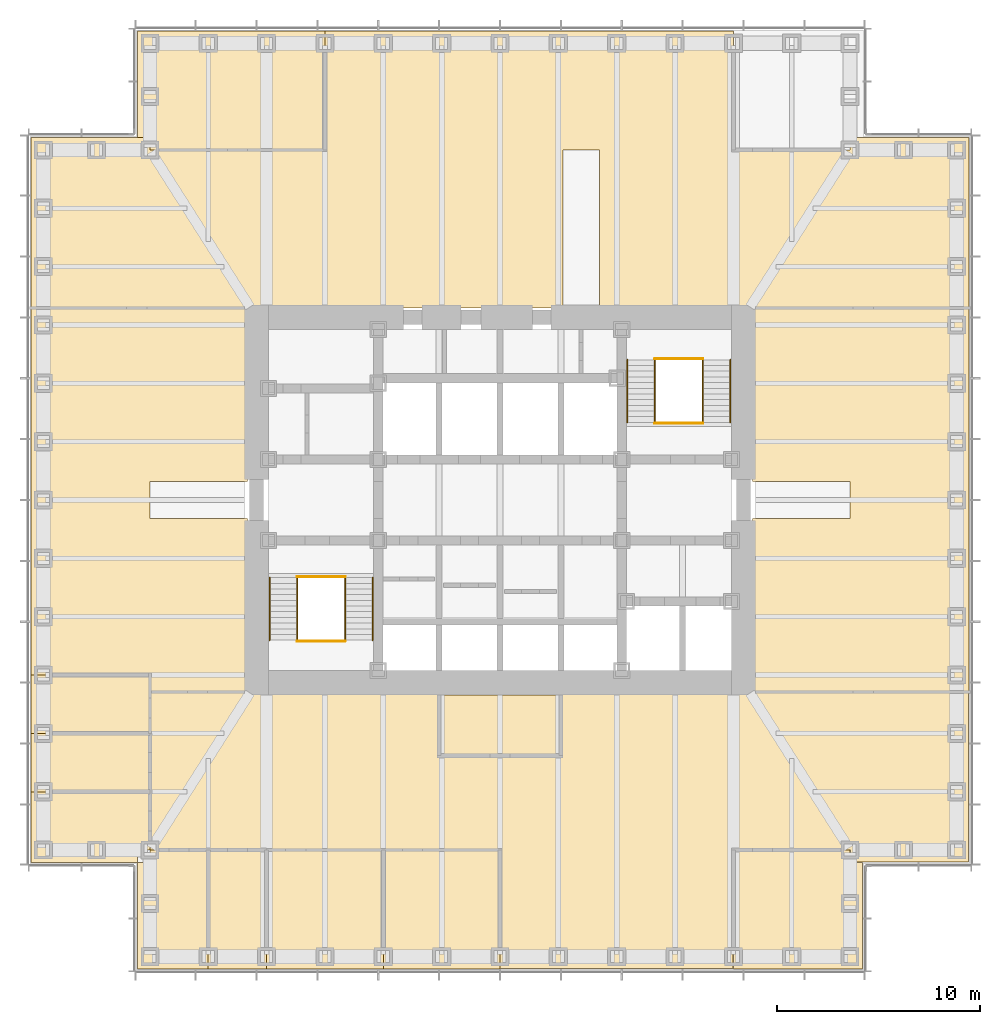
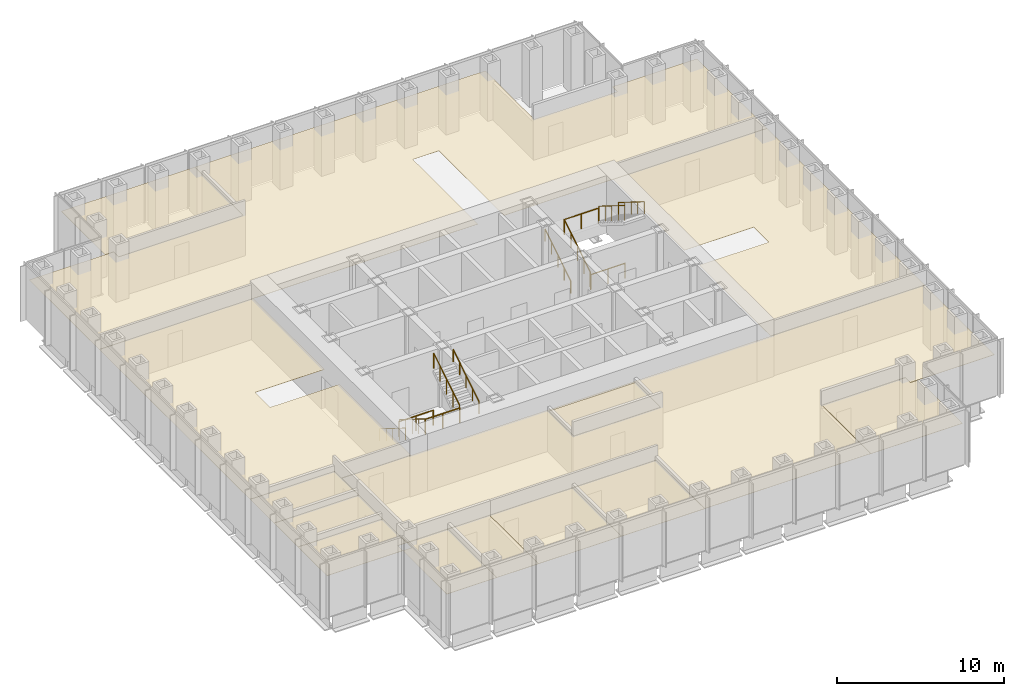
# One storey, part 16 of 16: 14 coverings, 12 railings.
"""IFC4 building model written with IfcOpenShell, lengths in metres."""

from ifc_helpers import new_model, si_unit, direction, frame, origin, origin_2d, place, context, subcontext, project, spatial, polyline, circle, outline, extrude, material, layer, layer_set, type_object, element, save


model = new_model("IFC4")

# Units and contexts
model_context = context("Model", 3, precision=1e-05, world=origin(), true_north=direction((0.0, 1.0)))
body_context = subcontext(model_context, "Body", "Model", "MODEL_VIEW")
ifc_project = project(units=[si_unit("LENGTHUNIT", "METRE"), si_unit("AREAUNIT", "SQUARE_METRE"), si_unit("VOLUMEUNIT", "CUBIC_METRE"), si_unit("PLANEANGLEUNIT", "RADIAN"), si_unit("MASSUNIT", "GRAM", prefix="KILO")], contexts=[model_context])

# Site, building, storey
site_placement = place(None, origin())
site = spatial("IfcSite", under=ifc_project, at=site_placement, CompositionType="ELEMENT")
building_placement = place(site_placement, origin())
building = spatial("IfcBuilding", under=site, at=building_placement, Name="Daluyong Arena Tower", CompositionType="ELEMENT")
storey_placement = place(building_placement, frame((0.0, 0.0, 120.699951171875)))
storey = spatial("IfcBuildingStorey", under=building, at=storey_placement, Name="L26", CompositionType="ELEMENT", Elevation=120.699951171875)

# Coverings
ifc_material_1 = material(Name="Mineral fibre ceiling tile", Category="gypsum board")
ifc_layer = layer(ifc_material_1, 0.02001953125)
ifc_layer_set = layer_set([ifc_layer], Name="Mineral fibre ceiling tile")
covering_type = type_object("IfcCoveringType", Name="Office ceiling", PredefinedType="CEILING", material=ifc_layer_set)
covering_1_placement = place(storey_placement, frame((0.0, 0.0, 2.900146484375)))
element("IfcCovering", 1, at=covering_1_placement, inside=storey, type_object=covering_type, Name="ceiling L26-01", PredefinedType="CEILING", context=body_context, shape_type="SweptSolid", body=[
    extrude(outline(polyline([(38.14990234375, 62.14990234375), (38.14990234375, 56.89990234375), (41.625, 56.89990234375), (41.625, 62.75), (38.75, 62.75), (38.75, 62.14990234375), (38.14990234375, 62.14990234375)])), origin(), (0.0, 0.0, 1.0), 0.02001953125),
])
covering_2_placement = place(storey_placement, frame((0.0, 0.0, 2.900146484375)))
element("IfcCovering", 2, at=covering_2_placement, inside=storey, type_object=covering_type, Name="ceiling L26-02", PredefinedType="CEILING", context=body_context, shape_type="SweptSolid", body=[
    extrude(outline(polyline([(41.625, 62.75), (41.625, 56.89990234375), (44.5, 56.89990234375), (44.5, 62.75), (41.625, 62.75)])), origin(), (0.0, 0.0, 1.0), 0.02001953125),
])
covering_3_placement = place(storey_placement, frame((0.0, 0.0, 2.900146484375)))
element("IfcCovering", 3, at=covering_3_placement, inside=storey, type_object=covering_type, Name="ceiling L26-03", PredefinedType="CEILING", context=body_context, shape_type="SweptSolid", body=[
    extrude(outline(polyline([(44.5, 62.75), (44.5, 56.89990234375), (50.25, 56.89990234375), (50.25, 62.75), (44.5, 62.75)])), origin(), (0.0, 0.0, 1.0), 0.02001953125),
])
covering_4_placement = place(storey_placement, frame((0.0, 0.0, 2.900146484375)))
element("IfcCovering", 4, at=covering_4_placement, inside=storey, type_object=covering_type, Name="ceiling L26-04", PredefinedType="CEILING", context=body_context, shape_type="SweptSolid", body=[
    extrude(outline(polyline([(50.25, 62.75), (50.25, 56.89990234375), (56.0, 56.89990234375), (56.0, 62.75), (50.25, 62.75)])), origin(), (0.0, 0.0, 1.0), 0.02001953125),
])
covering_5_placement = place(storey_placement, frame((0.0, 0.0, 2.900146484375)))
element("IfcCovering", 5, at=covering_5_placement, inside=storey, type_object=covering_type, Name="ceiling L26-05", PredefinedType="CEILING", context=body_context, shape_type="SweptSolid", body=[
    extrude(outline(polyline([(73.85009765625, 56.89990234375), (73.85009765625, 62.14990234375), (73.25, 62.14990234375), (73.25, 62.75), (67.5, 62.75), (67.5, 56.89990234375), (73.85009765625, 56.89990234375)])), origin(), (0.0, 0.0, 1.0), 0.02001953125),
])
covering_6_placement = place(storey_placement, frame((0.0, 0.0, 2.900146484375)))
element("IfcCovering", 6, at=covering_6_placement, inside=storey, type_object=covering_type, Name="ceiling L26-06", PredefinedType="CEILING", context=body_context, shape_type="SweptSolid", body=[
    extrude(outline(polyline([(47.375, 97.25), (47.375, 103.10009765625), (38.14990234375, 103.10009765625), (38.14990234375, 97.85009765625), (38.75, 97.85009765625), (38.75, 97.25), (47.375, 97.25)])), origin(), (0.0, 0.0, 1.0), 0.02001953125),
])
covering_7_placement = place(storey_placement, frame((0.0, 0.0, 2.900146484375)))
element("IfcCovering", 7, at=covering_7_placement, inside=storey, type_object=covering_type, Name="ceiling L26-08", PredefinedType="CEILING", context=body_context, shape_type="SweptSolid", body=[
    extrude(outline(polyline([(32.89990234375, 62.14990234375), (38.14990234375, 62.14990234375), (38.14990234375, 62.75), (38.75, 62.75), (38.75, 65.625), (32.89990234375, 65.625), (32.89990234375, 62.14990234375)])), origin(), (0.0, 0.0, 1.0), 0.02001953125),
])
covering_8_placement = place(storey_placement, frame((0.0, 0.0, 2.900146484375)))
element("IfcCovering", 8, at=covering_8_placement, inside=storey, type_object=covering_type, Name="ceiling L26-09", PredefinedType="CEILING", context=body_context, shape_type="SweptSolid", body=[
    extrude(outline(polyline([(38.75, 68.5), (32.89990234375, 68.5), (32.89990234375, 65.625), (38.75, 65.625), (38.75, 68.5)])), origin(), (0.0, 0.0, 1.0), 0.02001953125),
])
covering_9_placement = place(storey_placement, frame((0.0, 0.0, 2.900146484375)))
element("IfcCovering", 9, at=covering_9_placement, inside=storey, type_object=covering_type, Name="ceiling L26-10", PredefinedType="CEILING", context=body_context, shape_type="SweptSolid", body=[
    extrude(outline(polyline([(38.75, 71.375), (32.89990234375, 71.375), (32.89990234375, 68.5), (38.75, 68.5), (38.75, 71.375)])), origin(), (0.0, 0.0, 1.0), 0.02001953125),
])
covering_10_placement = place(storey_placement, frame((0.0, 0.0, 2.900146484375)))
element("IfcCovering", 10, at=covering_10_placement, inside=storey, type_object=covering_type, Name="ceiling L26-11", PredefinedType="CEILING", context=body_context, shape_type="SweptSolid", body=[
    extrude(outline(polyline([(53.0, 67.39990234375), (59.0, 67.39990234375), (59.0, 70.39990234375), (53.0, 70.39990234375), (53.0, 67.39990234375)])), origin(), (0.0, 0.0, 1.0), 0.02001953125),
])
covering_11_placement = place(storey_placement, frame((0.0, 0.0, 2.900146484375)))
element("IfcCovering", 11, at=covering_11_placement, inside=storey, type_object=covering_type, Name="ceiling L26-15", PredefinedType="CEILING", context=body_context, shape_type="SweptSolid", body=[
    extrude(outline(polyline([(38.760009765625, 62.760009765625), (56.010009765625, 62.760009765625), (56.010009765625, 56.909912109375), (67.489990234375, 56.909912109375), (67.489990234375, 62.760009765625), (73.260009765625, 62.760009765625), (73.260009765625, 62.159912109375), (79.090087890625, 62.159912109375), (79.090087890625, 70.5400390625), (38.760009765625, 70.5400390625), (38.760009765625, 62.760009765625)]), holes=[polyline([(59.010009765625, 70.409912109375), (59.010009765625, 67.389892578125), (52.989990234375, 67.389892578125), (52.989990234375, 70.409912109375), (59.010009765625, 70.409912109375)])]), origin(), (0.0, 0.0, 1.0), 0.02001953125),
])
covering_12_placement = place(storey_placement, frame((0.0, 0.0, 2.900146484375)))
element("IfcCovering", 12, at=covering_12_placement, inside=storey, type_object=covering_type, Name="ceiling L26-16", PredefinedType="CEILING", context=body_context, shape_type="SweptSolid", body=[
    extrude(outline(polyline([(79.10009765625, 70.550048828125), (79.10009765625, 89.449951171875), (68.449951171875, 89.449951171875), (68.449951171875, 80.89990234375), (73.25, 80.89990234375), (73.25, 79.10009765625), (68.449951171875, 79.10009765625), (68.449951171875, 70.550048828125), (79.10009765625, 70.550048828125)])), origin(), (0.0, 0.0, 1.0), 0.02001953125),
])
covering_13_placement = place(storey_placement, frame((0.0, 0.0, 2.900146484375)))
element("IfcCovering", 13, at=covering_13_placement, inside=storey, type_object=covering_type, Name="ceiling L26-17", PredefinedType="CEILING", context=body_context, shape_type="SweptSolid", body=[
    extrude(outline(polyline([(47.375, 97.25), (38.75, 97.25), (38.75, 97.85009765625), (32.89990234375, 97.85009765625), (32.89990234375, 89.449951171875), (59.10009765625, 89.449951171875), (59.10009765625, 97.25), (60.89990234375, 97.25), (60.89990234375, 89.449951171875), (79.10009765625, 89.449951171875), (79.10009765625, 97.85009765625), (73.25, 97.85009765625), (73.25, 97.25), (67.5, 97.25), (67.5, 103.10009765625), (47.375, 103.10009765625), (47.375, 97.25)])), origin(), (0.0, 0.0, 1.0), 0.02001953125),
])
covering_14_placement = place(storey_placement, frame((0.0, 0.0, 2.900146484375)))
element("IfcCovering", 14, at=covering_14_placement, inside=storey, type_object=covering_type, Name="ceiling L26-18", PredefinedType="CEILING", context=body_context, shape_type="SweptSolid", body=[
    extrude(outline(polyline([(38.75, 71.375), (38.75, 70.550048828125), (43.550048828125, 70.550048828125), (43.550048828125, 79.10009765625), (38.75, 79.10009765625), (38.75, 80.89990234375), (43.550048828125, 80.89990234375), (43.550048828125, 89.449951171875), (32.89990234375, 89.449951171875), (32.89990234375, 71.375), (38.75, 71.375)])), origin(), (0.0, 0.0, 1.0), 0.02001953125),
])

# Railings
ifc_material_2 = material(Name="Stainless steel handrail", Category="steel")
railing_type_1 = type_object("IfcRailingType", Name="Stair handrail", PredefinedType="HANDRAIL", material=ifc_material_2)
railing_1_placement = place(storey_placement, frame((44.64990234375, 76.175048828125, 0.175048828125)))
element("IfcRailing", 15, at=railing_1_placement, inside=storey, type_object=railing_type_1, Name="exit stair A handrail L26", PredefinedType="HANDRAIL", context=body_context, shape_type="SweptSolid", body=[
    extrude(circle(Radius=0.02392578125, at=origin_2d()), frame((0.0, 0.0, 0.8759765625), z_axis=(0.0, -0.847998304005, 0.529998940003), x_axis=(1.0, 0.0, 0.0)), (0.0, 0.0, 1.0), 3.632080078125),
    extrude(circle(Radius=0.02099609375, at=origin_2d()), origin(), (0.0, 0.0, 1.0), 0.851806640625),
    extrude(circle(Radius=0.02099609375, at=origin_2d()), frame((0.0, -0.77001953125, 0.481201171875)), (0.0, 0.0, 1.0), 0.851806640625),
    extrude(circle(Radius=0.02099609375, at=origin_2d()), frame((0.0, -1.5400390625, 0.96240234375)), (0.0, 0.0, 1.0), 0.851806640625),
    extrude(circle(Radius=0.02099609375, at=origin_2d()), frame((0.0, -2.31005859375, 1.44384765625)), (0.0, 0.0, 1.0), 0.851806640625),
    extrude(circle(Radius=0.02099609375, at=origin_2d()), frame((0.0, -3.080078125, 1.925048828125)), (0.0, 0.0, 1.0), 0.851806640625),
])
railing_2_placement = place(storey_placement, frame((49.72509765625, 73.094970703125, 2.275146484375)))
element("IfcRailing", 16, at=railing_2_placement, inside=storey, type_object=railing_type_1, Name="exit stair A handrail L26", PredefinedType="HANDRAIL", context=body_context, shape_type="SweptSolid", body=[
    extrude(circle(Radius=0.02392578125, at=origin_2d()), frame((0.0, 0.0, 0.8759765625), z_axis=(0.0, 0.848028513186, 0.529950602248), x_axis=(-1.0, 0.0, 0.0)), (0.0, 0.0, 1.0), 3.632080078125),
    extrude(circle(Radius=0.02099609375, at=origin_2d()), origin(), (0.0, 0.0, 1.0), 0.851806640625),
    extrude(circle(Radius=0.02099609375, at=origin_2d()), frame((0.0, 0.77001953125, 0.481201171875)), (0.0, 0.0, 1.0), 0.851806640625),
    extrude(circle(Radius=0.02099609375, at=origin_2d()), frame((0.0, 1.5400390625, 0.96240234375)), (0.0, 0.0, 1.0), 0.851806640625),
    extrude(circle(Radius=0.02099609375, at=origin_2d()), frame((0.0, 2.31005859375, 1.443603515625)), (0.0, 0.0, 1.0), 0.851806640625),
    extrude(circle(Radius=0.02099609375, at=origin_2d()), frame((0.0, 3.080078125, 1.9248046875)), (0.0, 0.0, 1.0), 0.851806640625),
])
railing_3_placement = place(storey_placement, frame((62.27490234375, 83.824951171875, 0.175048828125)))
element("IfcRailing", 17, at=railing_3_placement, inside=storey, type_object=railing_type_1, Name="exit stair B handrail L26", PredefinedType="HANDRAIL", context=body_context, shape_type="SweptSolid", body=[
    extrude(circle(Radius=0.02392578125, at=origin_2d()), frame((0.0, 0.0, 0.8759765625), z_axis=(0.0, 0.847998304005, 0.529998940003), x_axis=(-1.0, 0.0, 0.0)), (0.0, 0.0, 1.0), 3.632080078125),
    extrude(circle(Radius=0.02099609375, at=origin_2d()), origin(), (0.0, 0.0, 1.0), 0.851806640625),
    extrude(circle(Radius=0.02099609375, at=origin_2d()), frame((0.0, 0.77001953125, 0.481201171875)), (0.0, 0.0, 1.0), 0.851806640625),
    extrude(circle(Radius=0.02099609375, at=origin_2d()), frame((0.0, 1.5400390625, 0.96240234375)), (0.0, 0.0, 1.0), 0.851806640625),
    extrude(circle(Radius=0.02099609375, at=origin_2d()), frame((0.0, 2.31005859375, 1.44384765625)), (0.0, 0.0, 1.0), 0.851806640625),
    extrude(circle(Radius=0.02099609375, at=origin_2d()), frame((0.0, 3.080078125, 1.925048828125)), (0.0, 0.0, 1.0), 0.851806640625),
])
railing_4_placement = place(storey_placement, frame((67.35009765625, 86.905029296875, 2.275146484375)))
element("IfcRailing", 18, at=railing_4_placement, inside=storey, type_object=railing_type_1, Name="exit stair B handrail L26", PredefinedType="HANDRAIL", context=body_context, shape_type="SweptSolid", body=[
    extrude(circle(Radius=0.02392578125, at=origin_2d()), frame((0.0, 0.0, 0.8759765625), z_axis=(0.0, -0.848028513186, 0.529950602248), x_axis=(1.0, 0.0, 0.0)), (0.0, 0.0, 1.0), 3.632080078125),
    extrude(circle(Radius=0.02099609375, at=origin_2d()), origin(), (0.0, 0.0, 1.0), 0.851806640625),
    extrude(circle(Radius=0.02099609375, at=origin_2d()), frame((0.0, -0.77001953125, 0.481201171875)), (0.0, 0.0, 1.0), 0.851806640625),
    extrude(circle(Radius=0.02099609375, at=origin_2d()), frame((0.0, -1.5400390625, 0.96240234375)), (0.0, 0.0, 1.0), 0.851806640625),
    extrude(circle(Radius=0.02099609375, at=origin_2d()), frame((0.0, -2.31005859375, 1.443603515625)), (0.0, 0.0, 1.0), 0.851806640625),
    extrude(circle(Radius=0.02099609375, at=origin_2d()), frame((0.0, -3.080078125, 1.9248046875)), (0.0, 0.0, 1.0), 0.851806640625),
])
ifc_material_3 = material(Name="Steel balustrade", Category="steel")
railing_type_2 = type_object("IfcRailingType", Name="Stair well guard 1100", PredefinedType="GUARDRAIL", material=ifc_material_3)
railing_5_placement = place(storey_placement, frame((46.0, 76.175048828125, 0.175048828125)))
element("IfcRailing", 19, at=railing_5_placement, inside=storey, type_object=railing_type_2, Name="exit stair A well guard L26", PredefinedType="GUARDRAIL", context=body_context, shape_type="SweptSolid", body=[
    extrude(circle(Radius=0.02392578125, at=origin_2d()), frame((0.0, 0.0, 1.076171875), z_axis=(0.0, -0.847998304005, 0.529998940003), x_axis=(1.0, 0.0, 0.0)), (0.0, 0.0, 1.0), 3.632080078125),
    extrude(circle(Radius=0.02099609375, at=origin_2d()), origin(), (0.0, 0.0, 1.0), 1.052001953125),
    extrude(circle(Radius=0.02099609375, at=origin_2d()), frame((0.0, -0.77001953125, 0.481201171875)), (0.0, 0.0, 1.0), 1.052001953125),
    extrude(circle(Radius=0.02099609375, at=origin_2d()), frame((0.0, -1.5400390625, 0.96240234375)), (0.0, 0.0, 1.0), 1.052001953125),
    extrude(circle(Radius=0.02099609375, at=origin_2d()), frame((0.0, -2.31005859375, 1.44384765625)), (0.0, 0.0, 1.0), 1.052001953125),
    extrude(circle(Radius=0.02099609375, at=origin_2d()), frame((0.0, -3.080078125, 1.925048828125)), (0.0, 0.0, 1.0), 1.052001953125),
])
railing_6_placement = place(storey_placement, frame((48.375, 73.094970703125, 2.275146484375)))
element("IfcRailing", 20, at=railing_6_placement, inside=storey, type_object=railing_type_2, Name="exit stair A well guard L26", PredefinedType="GUARDRAIL", context=body_context, shape_type="SweptSolid", body=[
    extrude(circle(Radius=0.02392578125, at=origin_2d()), frame((0.0, 0.0, 1.076171875), z_axis=(0.0, 0.848028513186, 0.529950602248), x_axis=(-1.0, 0.0, 0.0)), (0.0, 0.0, 1.0), 3.632080078125),
    extrude(circle(Radius=0.02099609375, at=origin_2d()), origin(), (0.0, 0.0, 1.0), 1.052001953125),
    extrude(circle(Radius=0.02099609375, at=origin_2d()), frame((0.0, 0.77001953125, 0.481201171875)), (0.0, 0.0, 1.0), 1.052001953125),
    extrude(circle(Radius=0.02099609375, at=origin_2d()), frame((0.0, 1.5400390625, 0.96240234375)), (0.0, 0.0, 1.0), 1.052001953125),
    extrude(circle(Radius=0.02099609375, at=origin_2d()), frame((0.0, 2.31005859375, 1.443603515625)), (0.0, 0.0, 1.0), 1.052001953125),
    extrude(circle(Radius=0.02099609375, at=origin_2d()), frame((0.0, 3.080078125, 1.9248046875)), (0.0, 0.0, 1.0), 1.052001953125),
])
for number, where, name in (
    (21, (46.0, 73.044921875, 2.10009765625), "exit stair A landing guard L26"),
    (22, (46.0, 76.22509765625, 0.0), "exit stair A floor landing guard L26"),
):
    element("IfcRailing", number, at=place(storey_placement, frame(where)), inside=storey, type_object=railing_type_2, Name=name, PredefinedType="GUARDRAIL", context=body_context, shape_type="SweptSolid", body=[
        extrude(circle(Radius=0.02392578125, at=origin_2d()), frame((0.0, 0.0, 1.076171875), z_axis=(1.0, 0.0, 0.0), x_axis=(0.0, 1.0, 0.0)), (0.0, 0.0, 1.0), 2.375),
        extrude(circle(Radius=0.02099609375, at=origin_2d()), origin(), (0.0, 0.0, 1.0), 1.052001953125),
        extrude(circle(Radius=0.02099609375, at=origin_2d()), frame((1.1875, 0.0, 0.0)), (0.0, 0.0, 1.0), 1.052001953125),
        extrude(circle(Radius=0.02099609375, at=origin_2d()), frame((2.375, 0.0, 0.0)), (0.0, 0.0, 1.0), 1.052001953125),
    ])
railing_7_placement = place(storey_placement, frame((63.625, 83.824951171875, 0.175048828125)))
element("IfcRailing", 23, at=railing_7_placement, inside=storey, type_object=railing_type_2, Name="exit stair B well guard L26", PredefinedType="GUARDRAIL", context=body_context, shape_type="SweptSolid", body=[
    extrude(circle(Radius=0.02392578125, at=origin_2d()), frame((0.0, 0.0, 1.076171875), z_axis=(0.0, 0.847998304005, 0.529998940003), x_axis=(-1.0, 0.0, 0.0)), (0.0, 0.0, 1.0), 3.632080078125),
    extrude(circle(Radius=0.02099609375, at=origin_2d()), origin(), (0.0, 0.0, 1.0), 1.052001953125),
    extrude(circle(Radius=0.02099609375, at=origin_2d()), frame((0.0, 0.77001953125, 0.481201171875)), (0.0, 0.0, 1.0), 1.052001953125),
    extrude(circle(Radius=0.02099609375, at=origin_2d()), frame((0.0, 1.5400390625, 0.96240234375)), (0.0, 0.0, 1.0), 1.052001953125),
    extrude(circle(Radius=0.02099609375, at=origin_2d()), frame((0.0, 2.31005859375, 1.44384765625)), (0.0, 0.0, 1.0), 1.052001953125),
    extrude(circle(Radius=0.02099609375, at=origin_2d()), frame((0.0, 3.080078125, 1.925048828125)), (0.0, 0.0, 1.0), 1.052001953125),
])
railing_8_placement = place(storey_placement, frame((66.0, 86.905029296875, 2.275146484375)))
element("IfcRailing", 24, at=railing_8_placement, inside=storey, type_object=railing_type_2, Name="exit stair B well guard L26", PredefinedType="GUARDRAIL", context=body_context, shape_type="SweptSolid", body=[
    extrude(circle(Radius=0.02392578125, at=origin_2d()), frame((0.0, 0.0, 1.076171875), z_axis=(0.0, -0.848028513186, 0.529950602248), x_axis=(1.0, 0.0, 0.0)), (0.0, 0.0, 1.0), 3.632080078125),
    extrude(circle(Radius=0.02099609375, at=origin_2d()), origin(), (0.0, 0.0, 1.0), 1.052001953125),
    extrude(circle(Radius=0.02099609375, at=origin_2d()), frame((0.0, -0.77001953125, 0.481201171875)), (0.0, 0.0, 1.0), 1.052001953125),
    extrude(circle(Radius=0.02099609375, at=origin_2d()), frame((0.0, -1.5400390625, 0.96240234375)), (0.0, 0.0, 1.0), 1.052001953125),
    extrude(circle(Radius=0.02099609375, at=origin_2d()), frame((0.0, -2.31005859375, 1.443603515625)), (0.0, 0.0, 1.0), 1.052001953125),
    extrude(circle(Radius=0.02099609375, at=origin_2d()), frame((0.0, -3.080078125, 1.9248046875)), (0.0, 0.0, 1.0), 1.052001953125),
])
for number, where, name in (
    (25, (63.625, 86.955078125, 2.10009765625), "exit stair B landing guard L26"),
    (26, (63.625, 83.77490234375, 0.0), "exit stair B floor landing guard L26"),
):
    element("IfcRailing", number, at=place(storey_placement, frame(where)), inside=storey, type_object=railing_type_2, Name=name, PredefinedType="GUARDRAIL", context=body_context, shape_type="SweptSolid", body=[
        extrude(circle(Radius=0.02392578125, at=origin_2d()), frame((0.0, 0.0, 1.076171875), z_axis=(1.0, 0.0, 0.0), x_axis=(0.0, 1.0, 0.0)), (0.0, 0.0, 1.0), 2.375),
        extrude(circle(Radius=0.02099609375, at=origin_2d()), origin(), (0.0, 0.0, 1.0), 1.052001953125),
        extrude(circle(Radius=0.02099609375, at=origin_2d()), frame((1.1875, 0.0, 0.0)), (0.0, 0.0, 1.0), 1.052001953125),
        extrude(circle(Radius=0.02099609375, at=origin_2d()), frame((2.375, 0.0, 0.0)), (0.0, 0.0, 1.0), 1.052001953125),
    ])

save(model, "model.ifc")
